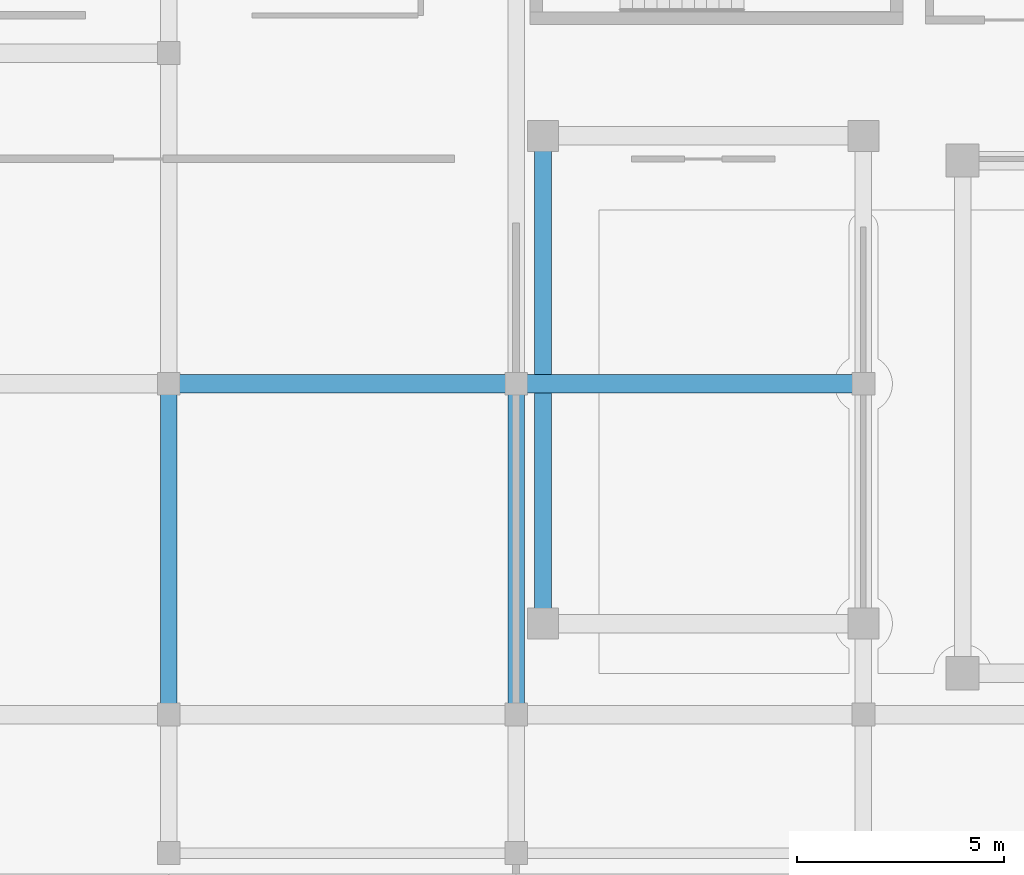
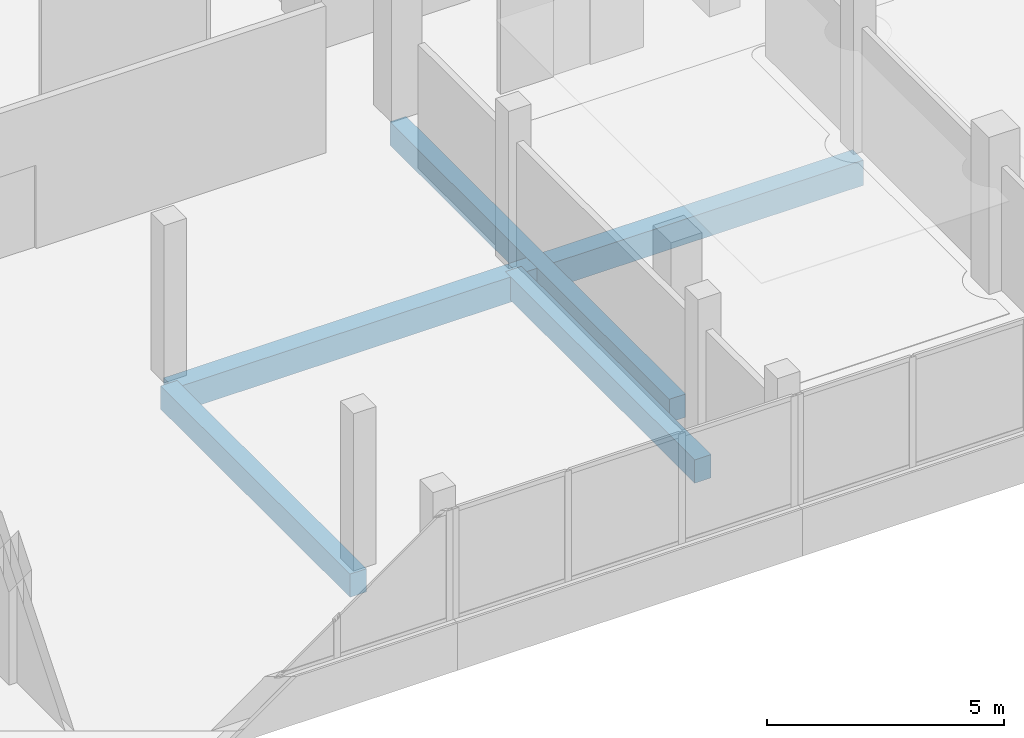
# One storey, part 8 of 66: 5 beams.
"""IFC4 building model written with IfcOpenShell, lengths in metres."""

from ifc_helpers import new_model, si_unit, direction, frame, origin, origin_2d, place, context, subcontext, project, spatial, rectangle, extrude, material, material_profile, profile_set, type_object, element, save


model = new_model("IFC4")

# Units and contexts
model_context = context("Model", 3, precision=1e-05, world=origin(), true_north=direction((0.0, 1.0)))
body_context = subcontext(model_context, "Body", "Model", "MODEL_VIEW")
ifc_project = project(units=[si_unit("LENGTHUNIT", "METRE"), si_unit("AREAUNIT", "SQUARE_METRE"), si_unit("VOLUMEUNIT", "CUBIC_METRE"), si_unit("PLANEANGLEUNIT", "RADIAN"), si_unit("MASSUNIT", "GRAM", prefix="KILO")], contexts=[model_context])

# Site, building, storey
site_placement = place(None, origin())
site = spatial("IfcSite", under=ifc_project, at=site_placement, CompositionType="ELEMENT")
building_placement = place(site_placement, origin())
building = spatial("IfcBuilding", under=site, at=building_placement, Name="Selatvlak General Hospital", CompositionType="ELEMENT")
storey_placement = place(building_placement, frame((0.0, 0.0, 31.35009765625)))
storey = spatial("IfcBuildingStorey", under=building, at=storey_placement, Name="L07", CompositionType="ELEMENT", Elevation=31.35009765625)

# Beams
ifc_material = material(Name="Concrete C40/50", Category="concrete")
ifc_material_profile_1 = material_profile(ifc_material, rectangle(XDim=0.449951171875, YDim=0.64990234375, at=origin_2d()), Name="RC-BM 450x650")
ifc_profile_set_1 = profile_set([ifc_material_profile_1], Name="Concrete C40/50")
beam_type_1 = type_object("IfcBeamType", Name="BM-G04", PredefinedType="BEAM", material=ifc_profile_set_1)
for number, where, z_axis, x_axis, name in (
    (1, (39.60009765625, 100.0, -0.59521484375), (1.0, 0.0, 0.0), (0.0, 1.0, 0.0), "Beam BMR-L07-2405"),
    (2, (48.0, 100.0, -0.59521484375), (1.0, 0.0, 0.0), (0.0, 1.0, 0.0), "Beam BMR-L07-2406"),
):
    element("IfcBeam", number, at=place(storey_placement, frame(where, z_axis=z_axis, x_axis=x_axis)), inside=storey, type_object=beam_type_1, Name=name, PredefinedType="BEAM", context=body_context, shape_type="SweptSolid", body=[
        extrude(rectangle(XDim=0.449951171875, YDim=0.64990234375, at=origin_2d()), origin(), (0.0, 0.0, 1.0), 8.39990234375),
    ])
ifc_material_profile_2 = material_profile(ifc_material, rectangle(XDim=0.39990234375, YDim=0.60009765625, at=origin_2d()), Name="RC-BM 400x600")
ifc_profile_set_2 = profile_set([ifc_material_profile_2], Name="Concrete C40/50")
beam_type_2 = type_object("IfcBeamType", Name="BM-G05", PredefinedType="BEAM", material=ifc_profile_set_2)
for number, where, z_axis, x_axis, name in (
    (3, (39.60009765625, 92.0, -0.570068359375), (0.0, 1.0, 0.0), (-1.0, 0.0, 0.0), "Beam BMR-L07-2465"),
    (4, (48.0, 92.0, -0.570068359375), (0.0, 1.0, 0.0), (-1.0, 0.0, 0.0), "Beam BMR-L07-2470"),
):
    element("IfcBeam", number, at=place(storey_placement, frame(where, z_axis=z_axis, x_axis=x_axis)), inside=storey, type_object=beam_type_2, Name=name, PredefinedType="BEAM", context=body_context, shape_type="SweptSolid", body=[
        extrude(rectangle(XDim=0.39990234375, YDim=0.60009765625, at=origin_2d()), origin(), (0.0, 0.0, 1.0), 8.0),
    ])
beam_placement = place(storey_placement, frame((48.64990234375, 94.199951171875, -0.570068359375), z_axis=(0.0, 1.0, 0.0), x_axis=(-1.0, 0.0, 0.0)))
element("IfcBeam", 5, at=beam_placement, inside=storey, type_object=beam_type_2, Name="Beam BMR-L07-2472", PredefinedType="BEAM", context=body_context, shape_type="SweptSolid", body=[
    extrude(rectangle(XDim=0.39990234375, YDim=0.60009765625, at=origin_2d()), origin(), (0.0, 0.0, 1.0), 11.800048828125),
])

save(model, "model.ifc")
